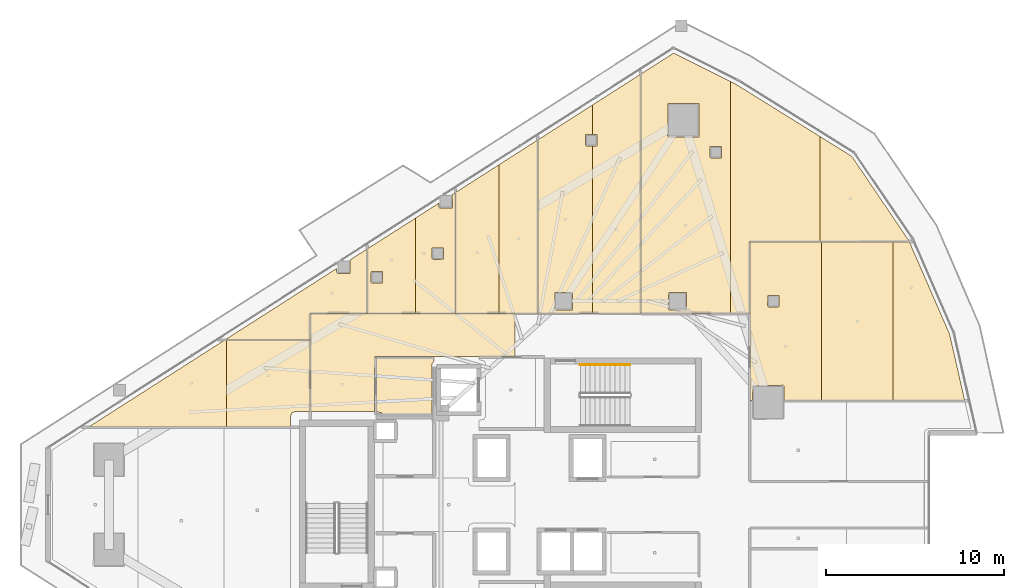
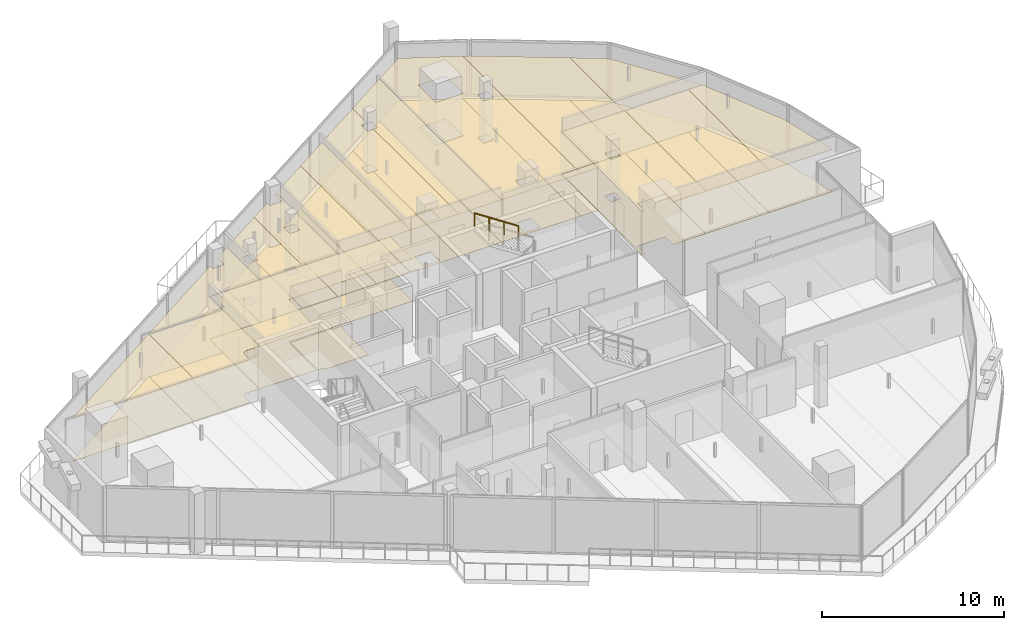
# One storey, part 36 of 36: 33 coverings, 1 railing.
"""IFC4 building model written with IfcOpenShell, lengths in metres."""

from ifc_helpers import new_model, si_unit, direction, frame, origin, origin_2d, place, context, subcontext, project, spatial, polyline, circle, outline, extrude, material, layer, layer_set, type_object, element, save


model = new_model("IFC4")

# Units and contexts
model_context = context("Model", 3, precision=1e-05, world=origin(), true_north=direction((0.0, 1.0)))
body_context = subcontext(model_context, "Body", "Model", "MODEL_VIEW")
ifc_project = project(units=[si_unit("LENGTHUNIT", "METRE"), si_unit("AREAUNIT", "SQUARE_METRE"), si_unit("VOLUMEUNIT", "CUBIC_METRE"), si_unit("PLANEANGLEUNIT", "RADIAN"), si_unit("MASSUNIT", "GRAM", prefix="KILO")], contexts=[model_context])

# Site, building, storey
site_placement = place(None, origin())
site = spatial("IfcSite", under=ifc_project, at=site_placement, CompositionType="ELEMENT")
building_placement = place(site_placement, origin())
building = spatial("IfcBuilding", under=site, at=building_placement, Name="Qorvath Tower", CompositionType="ELEMENT")
storey_placement = place(building_placement, frame((0.0, 0.0, 241.5)))
storey = spatial("IfcBuildingStorey", under=building, at=storey_placement, Name="L56", CompositionType="ELEMENT", Elevation=241.5)

# Coverings
ifc_material_1 = material(Name="Acoustic mineral fibre ceiling tile", Category="gypsum")
ifc_layer_1 = layer(ifc_material_1, 0.030029296875)
ifc_layer_set_1 = layer_set([ifc_layer_1], Name="COV-CEIL")
covering_type_1 = type_object("IfcCoveringType", Name="COV-CEIL", PredefinedType="CEILING", material=ifc_layer_set_1)
covering_1_placement = place(storey_placement, frame((0.0, 0.0, 2.85009765625)))
element("IfcCovering", 1, at=covering_1_placement, inside=storey, type_object=covering_type_1, Name="L56 Suspended Acoustic Ceiling 010", PredefinedType="CEILING", context=body_context, shape_type="SweptSolid", body=[
    extrude(outline(polyline([(-26.34716796875, 8.324951171875), (-26.34716796875, 10.7451171875), (-37.844970703125, 10.7451171875), (-37.844970703125, 5.239990234375), (-34.2509765625, 5.239990234375), (-34.219970703125, 8.324951171875), (-26.34716796875, 8.324951171875)])), origin(), (0.0, 0.0, 1.0), 0.030029296875),
])
covering_2_placement = place(storey_placement, frame((0.0, 0.0, 2.85009765625)))
element("IfcCovering", 2, at=covering_2_placement, inside=storey, type_object=covering_type_1, Name="L56 Suspended Acoustic Ceiling 012", PredefinedType="CEILING", context=body_context, shape_type="SweptSolid", body=[
    extrude(outline(polyline([(-31.9287109375, 10.762939453125), (-31.9287109375, 16.1201171875), (-34.64501953125, 14.384033203125), (-34.64501953125, 10.762939453125), (-31.9287109375, 10.762939453125)]), holes=[polyline([(-34.439208984375, 12.517578125), (-34.421630859375, 13.10986328125), (-33.786865234375, 13.10986328125), (-33.786865234375, 12.47509765625), (-34.379150390625, 12.45751953125), (-34.439208984375, 12.517578125)])]), origin(), (0.0, 0.0, 1.0), 0.030029296875),
])
covering_3_placement = place(storey_placement, frame((0.0, 0.0, 2.85009765625)))
element("IfcCovering", 3, at=covering_3_placement, inside=storey, type_object=covering_type_1, Name="L56 Suspended Acoustic Ceiling 013", PredefinedType="CEILING", context=body_context, shape_type="SweptSolid", body=[
    extrude(outline(polyline([(-29.6923828125, 10.762939453125), (-29.6923828125, 17.549560546875), (-29.87353515625, 17.43359375), (-29.857421875, 16.692138671875), (-30.5498046875, 16.674560546875), (-30.60986328125, 16.734619140625), (-30.60986328125, 16.963134765625), (-31.9287109375, 16.1201171875), (-31.9287109375, 10.762939453125), (-29.6923828125, 10.762939453125)]), holes=[polyline([(-31.01220703125, 13.849365234375), (-30.99462890625, 14.441650390625), (-30.35986328125, 14.441650390625), (-30.35986328125, 13.806884765625), (-30.9521484375, 13.789306640625), (-31.01220703125, 13.849365234375)])]), origin(), (0.0, 0.0, 1.0), 0.030029296875),
])
covering_4_placement = place(storey_placement, frame((0.0, 0.0, 2.85009765625)))
element("IfcCovering", 4, at=covering_4_placement, inside=storey, type_object=covering_type_1, Name="L56 Suspended Acoustic Ceiling 014", PredefinedType="CEILING", context=body_context, shape_type="SweptSolid", body=[
    extrude(outline(polyline([(-29.67431640625, 17.56103515625), (-29.67431640625, 10.762939453125), (-27.23681640625, 10.762939453125), (-27.23681640625, 19.118896484375), (-29.67431640625, 17.56103515625)])), origin(), (0.0, 0.0, 1.0), 0.030029296875),
])
covering_5_placement = place(storey_placement, frame((0.0, 0.0, 2.85009765625)))
element("IfcCovering", 5, at=covering_5_placement, inside=storey, type_object=covering_type_1, Name="L56 Suspended Acoustic Ceiling 015", PredefinedType="CEILING", context=body_context, shape_type="SweptSolid", body=[
    extrude(outline(polyline([(-27.23681640625, 19.118896484375), (-27.23681640625, 10.762939453125), (-25.072021484375, 10.762939453125), (-25.072021484375, 20.50244140625), (-27.23681640625, 19.118896484375)])), origin(), (0.0, 0.0, 1.0), 0.030029296875),
])
covering_6_placement = place(storey_placement, frame((0.0, 0.0, 2.85009765625)))
element("IfcCovering", 6, at=covering_6_placement, inside=storey, type_object=covering_type_1, Name="L56 Suspended Acoustic Ceiling 016", PredefinedType="CEILING", context=body_context, shape_type="SweptSolid", body=[
    extrude(outline(polyline([(-25.053955078125, 20.513916015625), (-25.053955078125, 10.762939453125), (-21.99267578125, 10.762939453125), (-21.99267578125, 20.169921875), (-22.328125, 20.159912109375), (-22.38818359375, 20.219970703125), (-22.37060546875, 20.812255859375), (-21.99267578125, 20.812255859375), (-21.99267578125, 22.470458984375), (-25.053955078125, 20.513916015625)]), holes=[polyline([(-24.092529296875, 10.95751953125), (-24.092529296875, 11.9423828125), (-23.107666015625, 11.9423828125), (-23.107666015625, 10.95751953125), (-24.092529296875, 10.95751953125)])]), origin(), (0.0, 0.0, 1.0), 0.030029296875),
])
covering_7_placement = place(storey_placement, frame((0.0, 0.0, 2.85009765625)))
element("IfcCovering", 7, at=covering_7_placement, inside=storey, type_object=covering_type_1, Name="L56 Suspended Acoustic Ceiling 017", PredefinedType="CEILING", context=body_context, shape_type="SweptSolid", body=[
    extrude(outline(polyline([(-21.99267578125, 22.470458984375), (-21.99267578125, 20.812255859375), (-21.73583984375, 20.812255859375), (-21.73583984375, 20.177490234375), (-21.99267578125, 20.169921875), (-21.99267578125, 10.762939453125), (-19.28466796875, 10.762939453125), (-19.28466796875, 24.201416015625), (-21.99267578125, 22.470458984375)])), origin(), (0.0, 0.0, 1.0), 0.030029296875),
])
covering_8_placement = place(storey_placement, frame((0.0, 0.0, 2.85009765625)))
element("IfcCovering", 8, at=covering_8_placement, inside=storey, type_object=covering_type_1, Name="L56 Suspended Acoustic Ceiling 018", PredefinedType="CEILING", context=body_context, shape_type="SweptSolid", body=[
    extrude(outline(polyline([(-14.2314453125, 10.762939453125), (-14.2314453125, 23.795166015625), (-17.42333984375, 25.39111328125), (-19.2666015625, 24.212890625), (-19.2666015625, 10.762939453125), (-14.2314453125, 10.762939453125)]), holes=[polyline([(-15.381103515625, 19.543212890625), (-15.363525390625, 20.135498046875), (-14.728759765625, 20.135498046875), (-14.728759765625, 19.500732421875), (-15.321044921875, 19.483154296875), (-15.381103515625, 19.543212890625)]), polyline([(-17.756591796875, 20.72705078125), (-17.739013671875, 22.569580078125), (-16.00439453125, 22.569580078125), (-16.00439453125, 20.6845703125), (-17.69677734375, 20.6669921875), (-17.756591796875, 20.72705078125)]), polyline([(-17.7099609375, 11.0), (-17.6923828125, 11.9423828125), (-16.70751953125, 11.9423828125), (-16.70751953125, 10.95751953125), (-17.64990234375, 10.93994140625), (-17.7099609375, 11.0)])]), origin(), (0.0, 0.0, 1.0), 0.030029296875),
])
covering_9_placement = place(storey_placement, frame((0.0, 0.0, 2.85009765625)))
element("IfcCovering", 9, at=covering_9_placement, inside=storey, type_object=covering_type_1, Name="L56 Suspended Acoustic Ceiling 019", PredefinedType="CEILING", context=body_context, shape_type="SweptSolid", body=[
    extrude(outline(polyline([(-9.1962890625, 14.7919921875), (-9.1962890625, 20.703369140625), (-13.89453125, 23.626708984375), (-14.2314453125, 23.795166015625), (-14.2314453125, 10.762939453125), (-13.155029296875, 10.762939453125), (-13.14990234375, 14.78662109375), (-9.1962890625, 14.7919921875)])), origin(), (0.0, 0.0, 1.0), 0.030029296875),
])
covering_10_placement = place(storey_placement, frame((0.0, 0.0, 2.85009765625)))
element("IfcCovering", 10, at=covering_10_placement, inside=storey, type_object=covering_type_1, Name="L56 Suspended Acoustic Ceiling 020", PredefinedType="CEILING", context=body_context, shape_type="SweptSolid", body=[
    extrude(outline(polyline([(-4.1611328125, 14.799072265625), (-7.397705078125, 19.584228515625), (-9.1962890625, 20.703369140625), (-9.1962890625, 14.7919921875), (-4.1611328125, 14.799072265625)])), origin(), (0.0, 0.0, 1.0), 0.030029296875),
])
covering_11_placement = place(storey_placement, frame((0.0, 0.0, 2.85009765625)))
element("IfcCovering", 11, at=covering_11_placement, inside=storey, type_object=covering_type_1, Name="L56 Suspended Acoustic Ceiling 035", PredefinedType="CEILING", context=body_context, shape_type="SweptSolid", body=[
    extrude(outline(polyline([(-11.2119140625, 6.657958984375), (-11.2119140625, 5.857177734375), (-9.109375, 5.857177734375), (-9.109375, 14.774169921875), (-13.136962890625, 14.7685546875), (-13.136962890625, 5.857177734375), (-12.981689453125, 5.857177734375), (-12.964111328125, 6.700439453125), (-11.271728515625, 6.718017578125), (-11.2119140625, 6.657958984375)]), holes=[polyline([(-12.135009765625, 11.175048828125), (-12.117431640625, 11.767333984375), (-11.482666015625, 11.767333984375), (-11.482666015625, 11.132568359375), (-12.074951171875, 11.114990234375), (-12.135009765625, 11.175048828125)])]), origin(), (0.0, 0.0, 1.0), 0.030029296875),
])
covering_12_placement = place(storey_placement, frame((0.0, 0.0, 2.85009765625)))
element("IfcCovering", 12, at=covering_12_placement, inside=storey, type_object=covering_type_1, Name="L56 Suspended Acoustic Ceiling 036", PredefinedType="CEILING", context=body_context, shape_type="SweptSolid", body=[
    extrude(outline(polyline([(-9.109375, 14.774169921875), (-9.109375, 5.857177734375), (-5.081787109375, 5.857177734375), (-5.081787109375, 14.77978515625), (-9.109375, 14.774169921875)])), origin(), (0.0, 0.0, 1.0), 0.030029296875),
])
covering_13_placement = place(storey_placement, frame((0.0, 0.0, 2.85009765625)))
element("IfcCovering", 13, at=covering_13_placement, inside=storey, type_object=covering_type_1, Name="L56 Suspended Acoustic Ceiling 037", PredefinedType="CEILING", context=body_context, shape_type="SweptSolid", body=[
    extrude(outline(polyline([(-5.081787109375, 14.77978515625), (-5.081787109375, 5.857177734375), (-1.05419921875, 5.857177734375), (-1.90576171875, 9.593994140625), (-4.166748046875, 14.781005859375), (-5.081787109375, 14.77978515625)])), origin(), (0.0, 0.0, 1.0), 0.030029296875),
])
covering_14_placement = place(storey_placement, frame((0.0, 0.0, 2.85009765625)))
element("IfcCovering", 14, at=covering_14_placement, inside=storey, type_object=covering_type_1, Name="L56 Suspended Acoustic Ceiling 042", PredefinedType="CEILING", context=body_context, shape_type="SweptSolid", body=[
    extrude(outline(polyline([(-42.548828125, 4.37255859375), (-42.548828125, 9.25927734375), (-42.66357421875, 9.25927734375), (-50.311279296875, 4.371337890625), (-42.548828125, 4.37255859375)])), origin(), (0.0, 0.0, 1.0), 0.030029296875),
])
covering_15_placement = place(storey_placement, frame((0.0, 0.0, 2.85009765625)))
element("IfcCovering", 15, at=covering_15_placement, inside=storey, type_object=covering_type_1, Name="L56 Suspended Acoustic Ceiling 043", PredefinedType="CEILING", context=body_context, shape_type="SweptSolid", body=[
    extrude(outline(polyline([(-37.863037109375, 5.239990234375), (-37.863037109375, 9.25927734375), (-42.548828125, 9.25927734375), (-42.548828125, 4.37255859375), (-38.949951171875, 4.373046875), (-38.949951171875, 4.989990234375), (-38.876708984375, 5.166748046875), (-38.699951171875, 5.239990234375), (-37.863037109375, 5.239990234375)])), origin(), (0.0, 0.0, 1.0), 0.030029296875),
])
covering_16_placement = place(storey_placement, frame((0.0, 0.0, 2.85009765625)))
element("IfcCovering", 16, at=covering_16_placement, inside=storey, type_object=covering_type_1, Name="L56 Suspended Acoustic Ceiling 044", PredefinedType="CEILING", context=body_context, shape_type="SweptSolid", body=[
    extrude(outline(polyline([(-34.6630859375, 14.37255859375), (-35.62939453125, 13.7548828125), (-35.61328125, 13.013427734375), (-36.3056640625, 12.995849609375), (-36.36572265625, 13.055908203125), (-36.36572265625, 13.284423828125), (-42.635498046875, 9.277099609375), (-37.863037109375, 9.277099609375), (-37.861572265625, 10.761474609375), (-34.6630859375, 10.762939453125), (-34.6630859375, 14.37255859375)])), origin(), (0.0, 0.0, 1.0), 0.030029296875),
])
ifc_material_2 = material(Name="Low-VOC modular carpet tile", Category="textile")
ifc_layer_2 = layer(ifc_material_2, 0.014892578125)
ifc_layer_set_2 = layer_set([ifc_layer_2], Name="COV-FLOOR-CPT")
covering_type_2 = type_object("IfcCoveringType", Name="COV-FLOOR-CPT", PredefinedType="FLOORING", material=ifc_layer_set_2)
covering_17_placement = place(storey_placement, origin())
element("IfcCovering", 17, at=covering_17_placement, inside=storey, type_object=covering_type_2, Name="L56 Floor Finish 012", PredefinedType="FLOORING", context=body_context, shape_type="SweptSolid", body=[
    extrude(outline(polyline([(-31.9287109375, 10.762939453125), (-31.9287109375, 16.1201171875), (-34.64501953125, 14.384033203125), (-34.64501953125, 10.762939453125), (-31.9287109375, 10.762939453125)]), holes=[polyline([(-34.439208984375, 12.517578125), (-34.421630859375, 13.10986328125), (-33.786865234375, 13.10986328125), (-33.786865234375, 12.47509765625), (-34.379150390625, 12.45751953125), (-34.439208984375, 12.517578125)])]), origin(), (0.0, 0.0, 1.0), 0.014892578125),
])
covering_18_placement = place(storey_placement, origin())
element("IfcCovering", 18, at=covering_18_placement, inside=storey, type_object=covering_type_2, Name="L56 Floor Finish 013", PredefinedType="FLOORING", context=body_context, shape_type="SweptSolid", body=[
    extrude(outline(polyline([(-29.6923828125, 10.762939453125), (-29.6923828125, 17.549560546875), (-29.87353515625, 17.43359375), (-29.857421875, 16.692138671875), (-30.5498046875, 16.674560546875), (-30.60986328125, 16.734619140625), (-30.60986328125, 16.963134765625), (-31.9287109375, 16.1201171875), (-31.9287109375, 10.762939453125), (-29.6923828125, 10.762939453125)]), holes=[polyline([(-31.01220703125, 13.849365234375), (-30.99462890625, 14.441650390625), (-30.35986328125, 14.441650390625), (-30.35986328125, 13.806884765625), (-30.9521484375, 13.789306640625), (-31.01220703125, 13.849365234375)])]), origin(), (0.0, 0.0, 1.0), 0.014892578125),
])
covering_19_placement = place(storey_placement, origin())
element("IfcCovering", 19, at=covering_19_placement, inside=storey, type_object=covering_type_2, Name="L56 Floor Finish 014", PredefinedType="FLOORING", context=body_context, shape_type="SweptSolid", body=[
    extrude(outline(polyline([(-29.67431640625, 17.56103515625), (-29.67431640625, 10.762939453125), (-27.23681640625, 10.762939453125), (-27.23681640625, 19.118896484375), (-29.67431640625, 17.56103515625)])), origin(), (0.0, 0.0, 1.0), 0.014892578125),
])
covering_20_placement = place(storey_placement, origin())
element("IfcCovering", 20, at=covering_20_placement, inside=storey, type_object=covering_type_2, Name="L56 Floor Finish 015", PredefinedType="FLOORING", context=body_context, shape_type="SweptSolid", body=[
    extrude(outline(polyline([(-27.23681640625, 19.118896484375), (-27.23681640625, 10.762939453125), (-25.072021484375, 10.762939453125), (-25.072021484375, 20.50244140625), (-27.23681640625, 19.118896484375)])), origin(), (0.0, 0.0, 1.0), 0.014892578125),
])
covering_21_placement = place(storey_placement, origin())
element("IfcCovering", 21, at=covering_21_placement, inside=storey, type_object=covering_type_2, Name="L56 Floor Finish 016", PredefinedType="FLOORING", context=body_context, shape_type="SweptSolid", body=[
    extrude(outline(polyline([(-25.053955078125, 20.513916015625), (-25.053955078125, 10.762939453125), (-21.99267578125, 10.762939453125), (-21.99267578125, 20.169921875), (-22.328125, 20.159912109375), (-22.38818359375, 20.219970703125), (-22.37060546875, 20.812255859375), (-21.99267578125, 20.812255859375), (-21.99267578125, 22.470458984375), (-25.053955078125, 20.513916015625)]), holes=[polyline([(-24.092529296875, 10.95751953125), (-24.092529296875, 11.9423828125), (-23.107666015625, 11.9423828125), (-23.107666015625, 10.95751953125), (-24.092529296875, 10.95751953125)])]), origin(), (0.0, 0.0, 1.0), 0.014892578125),
])
covering_22_placement = place(storey_placement, origin())
element("IfcCovering", 22, at=covering_22_placement, inside=storey, type_object=covering_type_2, Name="L56 Floor Finish 017", PredefinedType="FLOORING", context=body_context, shape_type="SweptSolid", body=[
    extrude(outline(polyline([(-21.99267578125, 22.470458984375), (-21.99267578125, 20.812255859375), (-21.73583984375, 20.812255859375), (-21.73583984375, 20.177490234375), (-21.99267578125, 20.169921875), (-21.99267578125, 10.762939453125), (-19.28466796875, 10.762939453125), (-19.28466796875, 24.201416015625), (-21.99267578125, 22.470458984375)])), origin(), (0.0, 0.0, 1.0), 0.014892578125),
])
covering_23_placement = place(storey_placement, origin())
element("IfcCovering", 23, at=covering_23_placement, inside=storey, type_object=covering_type_2, Name="L56 Floor Finish 018", PredefinedType="FLOORING", context=body_context, shape_type="SweptSolid", body=[
    extrude(outline(polyline([(-14.2314453125, 10.762939453125), (-14.2314453125, 23.795166015625), (-17.42333984375, 25.39111328125), (-19.2666015625, 24.212890625), (-19.2666015625, 10.762939453125), (-14.2314453125, 10.762939453125)]), holes=[polyline([(-15.381103515625, 19.543212890625), (-15.363525390625, 20.135498046875), (-14.728759765625, 20.135498046875), (-14.728759765625, 19.500732421875), (-15.321044921875, 19.483154296875), (-15.381103515625, 19.543212890625)]), polyline([(-17.756591796875, 20.72705078125), (-17.739013671875, 22.569580078125), (-16.00439453125, 22.569580078125), (-16.00439453125, 20.6845703125), (-17.69677734375, 20.6669921875), (-17.756591796875, 20.72705078125)]), polyline([(-17.7099609375, 11.0), (-17.6923828125, 11.9423828125), (-16.70751953125, 11.9423828125), (-16.70751953125, 10.95751953125), (-17.64990234375, 10.93994140625), (-17.7099609375, 11.0)])]), origin(), (0.0, 0.0, 1.0), 0.014892578125),
])
covering_24_placement = place(storey_placement, origin())
element("IfcCovering", 24, at=covering_24_placement, inside=storey, type_object=covering_type_2, Name="L56 Floor Finish 019", PredefinedType="FLOORING", context=body_context, shape_type="SweptSolid", body=[
    extrude(outline(polyline([(-9.1962890625, 14.7919921875), (-9.1962890625, 20.703369140625), (-13.89453125, 23.626708984375), (-14.2314453125, 23.795166015625), (-14.2314453125, 10.762939453125), (-13.155029296875, 10.762939453125), (-13.14990234375, 14.78662109375), (-9.1962890625, 14.7919921875)])), origin(), (0.0, 0.0, 1.0), 0.014892578125),
])
covering_25_placement = place(storey_placement, origin())
element("IfcCovering", 25, at=covering_25_placement, inside=storey, type_object=covering_type_2, Name="L56 Floor Finish 020", PredefinedType="FLOORING", context=body_context, shape_type="SweptSolid", body=[
    extrude(outline(polyline([(-4.1611328125, 14.799072265625), (-7.397705078125, 19.584228515625), (-9.1962890625, 20.703369140625), (-9.1962890625, 14.7919921875), (-4.1611328125, 14.799072265625)])), origin(), (0.0, 0.0, 1.0), 0.014892578125),
])
covering_26_placement = place(storey_placement, origin())
element("IfcCovering", 26, at=covering_26_placement, inside=storey, type_object=covering_type_2, Name="L56 Floor Finish 035", PredefinedType="FLOORING", context=body_context, shape_type="SweptSolid", body=[
    extrude(outline(polyline([(-11.2119140625, 6.657958984375), (-11.2119140625, 5.857177734375), (-9.109375, 5.857177734375), (-9.109375, 14.774169921875), (-13.136962890625, 14.7685546875), (-13.136962890625, 5.857177734375), (-12.981689453125, 5.857177734375), (-12.964111328125, 6.700439453125), (-11.271728515625, 6.718017578125), (-11.2119140625, 6.657958984375)]), holes=[polyline([(-12.135009765625, 11.175048828125), (-12.117431640625, 11.767333984375), (-11.482666015625, 11.767333984375), (-11.482666015625, 11.132568359375), (-12.074951171875, 11.114990234375), (-12.135009765625, 11.175048828125)])]), origin(), (0.0, 0.0, 1.0), 0.014892578125),
])
covering_27_placement = place(storey_placement, origin())
element("IfcCovering", 27, at=covering_27_placement, inside=storey, type_object=covering_type_2, Name="L56 Floor Finish 036", PredefinedType="FLOORING", context=body_context, shape_type="SweptSolid", body=[
    extrude(outline(polyline([(-9.109375, 14.774169921875), (-9.109375, 5.857177734375), (-5.081787109375, 5.857177734375), (-5.081787109375, 14.77978515625), (-9.109375, 14.774169921875)])), origin(), (0.0, 0.0, 1.0), 0.014892578125),
])
covering_28_placement = place(storey_placement, origin())
element("IfcCovering", 28, at=covering_28_placement, inside=storey, type_object=covering_type_2, Name="L56 Floor Finish 037", PredefinedType="FLOORING", context=body_context, shape_type="SweptSolid", body=[
    extrude(outline(polyline([(-5.081787109375, 14.77978515625), (-5.081787109375, 5.857177734375), (-1.05419921875, 5.857177734375), (-1.90576171875, 9.593994140625), (-4.166748046875, 14.781005859375), (-5.081787109375, 14.77978515625)])), origin(), (0.0, 0.0, 1.0), 0.014892578125),
])
covering_29_placement = place(storey_placement, origin())
element("IfcCovering", 29, at=covering_29_placement, inside=storey, type_object=covering_type_2, Name="L56 Floor Finish 042", PredefinedType="FLOORING", context=body_context, shape_type="SweptSolid", body=[
    extrude(outline(polyline([(-42.548828125, 4.37255859375), (-42.548828125, 9.25927734375), (-42.66357421875, 9.25927734375), (-50.311279296875, 4.371337890625), (-42.548828125, 4.37255859375)])), origin(), (0.0, 0.0, 1.0), 0.014892578125),
])
covering_30_placement = place(storey_placement, origin())
element("IfcCovering", 30, at=covering_30_placement, inside=storey, type_object=covering_type_2, Name="L56 Floor Finish 043", PredefinedType="FLOORING", context=body_context, shape_type="SweptSolid", body=[
    extrude(outline(polyline([(-37.863037109375, 5.239990234375), (-37.863037109375, 9.25927734375), (-42.548828125, 9.25927734375), (-42.548828125, 4.37255859375), (-38.949951171875, 4.373046875), (-38.949951171875, 4.989990234375), (-38.876708984375, 5.166748046875), (-38.699951171875, 5.239990234375), (-37.863037109375, 5.239990234375)])), origin(), (0.0, 0.0, 1.0), 0.014892578125),
])
covering_31_placement = place(storey_placement, origin())
element("IfcCovering", 31, at=covering_31_placement, inside=storey, type_object=covering_type_2, Name="L56 Floor Finish 044", PredefinedType="FLOORING", context=body_context, shape_type="SweptSolid", body=[
    extrude(outline(polyline([(-34.6630859375, 14.37255859375), (-35.62939453125, 13.7548828125), (-35.61328125, 13.013427734375), (-36.3056640625, 12.995849609375), (-36.36572265625, 13.055908203125), (-36.36572265625, 13.284423828125), (-42.635498046875, 9.277099609375), (-37.863037109375, 9.277099609375), (-37.861572265625, 10.761474609375), (-34.6630859375, 10.762939453125), (-34.6630859375, 14.37255859375)])), origin(), (0.0, 0.0, 1.0), 0.014892578125),
])
ifc_material_3 = material(Name="Polished epoxy terrazzo flooring", Category="concrete")
ifc_layer_3 = layer(ifc_material_3, 0.02001953125)
ifc_layer_set_3 = layer_set([ifc_layer_3], Name="COV-FLOOR-TRZ")
covering_type_3 = type_object("IfcCoveringType", Name="COV-FLOOR-TRZ", PredefinedType="FLOORING", material=ifc_layer_set_3)
covering_32_placement = place(storey_placement, origin())
element("IfcCovering", 32, at=covering_32_placement, inside=storey, type_object=covering_type_3, Name="L56 Floor Finish 005", PredefinedType="FLOORING", context=body_context, shape_type="SweptSolid", body=[
    extrude(outline(polyline([(-31.010009765625, 5.054931640625), (-31.010009765625, 7.909912109375), (-30.885009765625, 8.108154296875), (-30.885009765625, 8.2451171875), (-34.175048828125, 8.2451171875), (-34.175048828125, 5.239990234375), (-33.833251953125, 5.166748046875), (-33.786865234375, 5.054931640625), (-31.010009765625, 5.054931640625)])), origin(), (0.0, 0.0, 1.0), 0.014892578125),
])
covering_33_placement = place(storey_placement, origin())
element("IfcCovering", 33, at=covering_33_placement, inside=storey, type_object=covering_type_3, Name="L56 Floor Finish 010", PredefinedType="FLOORING", context=body_context, shape_type="SweptSolid", body=[
    extrude(outline(polyline([(-26.34716796875, 8.324951171875), (-26.34716796875, 10.7451171875), (-37.844970703125, 10.7451171875), (-37.844970703125, 5.239990234375), (-34.2509765625, 5.239990234375), (-34.219970703125, 8.324951171875), (-26.34716796875, 8.324951171875)])), origin(), (0.0, 0.0, 1.0), 0.014892578125),
])

# Railing
ifc_material_4 = material(Name="Brushed stainless steel AISI 304", Category="steel")
railing_type = type_object("IfcRailingType", Name="RL-STR-HND", PredefinedType="HANDRAIL", material=ifc_material_4)
railing_placement = place(storey_placement, frame((-19.8701171875, 7.860107421875, 2.208984375)))
element("IfcRailing", 34, at=railing_placement, inside=storey, type_object=railing_type, Name="L56 TS1 stair handrail 2", PredefinedType="HANDRAIL", context=body_context, shape_type="SweptSolid", body=[
    extrude(circle(Radius=0.02392578125, at=origin_2d()), frame((0.0, 0.0, 0.8759765625), z_axis=(-0.835542071712, 0.0, 0.549426470421), x_axis=(0.0, -1.0, 0.0)), (0.0, 0.0, 1.0), 3.350830078125),
    extrude(circle(Radius=0.02099609375, at=origin_2d()), origin(), (0.0, 0.0, 1.0), 0.851806640625),
    extrude(circle(Radius=0.02099609375, at=origin_2d()), frame((-0.933349609375, 0.0, 0.61376953125)), (0.0, 0.0, 1.0), 0.851806640625),
    extrude(circle(Radius=0.02099609375, at=origin_2d()), frame((-1.866455078125, 0.0, 1.227294921875)), (0.0, 0.0, 1.0), 0.851806640625),
    extrude(circle(Radius=0.02099609375, at=origin_2d()), frame((-2.7998046875, 0.0, 1.841064453125)), (0.0, 0.0, 1.0), 0.851806640625),
])

save(model, "model.ifc")
